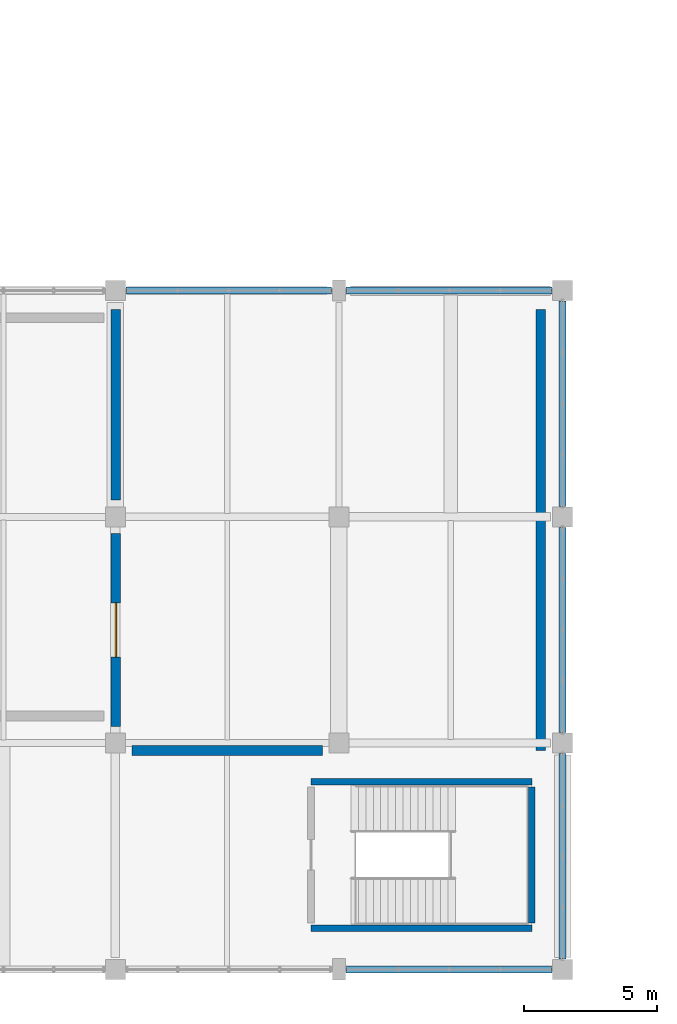
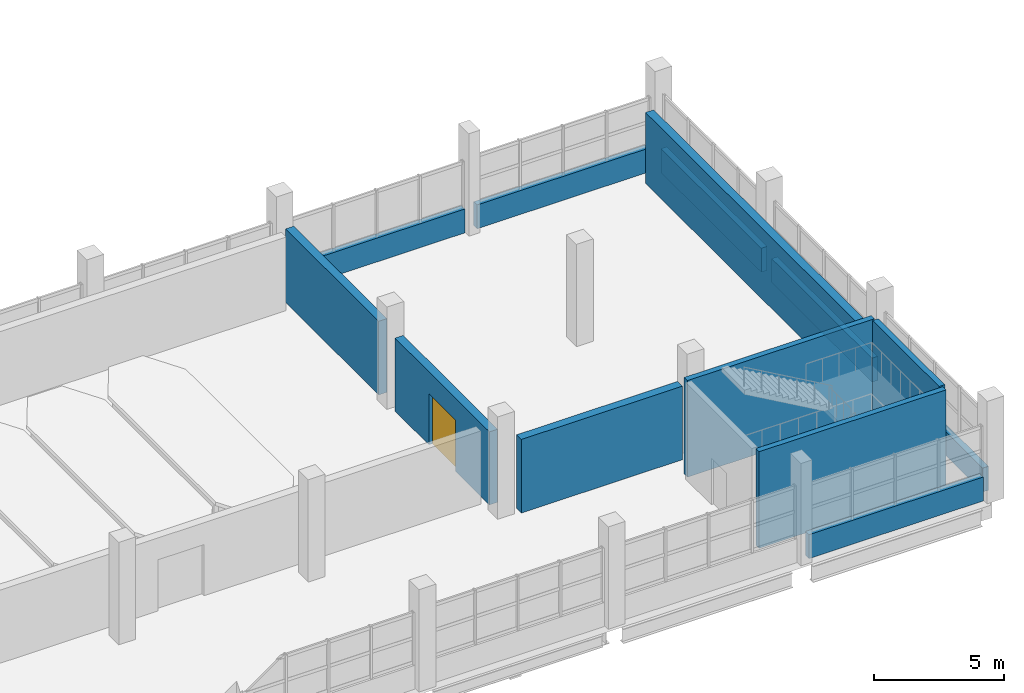
# One storey, part 103 of 117: 13 walls, 1 door, 1 opening.
"""IFC4 building model written with IfcOpenShell, lengths in metres."""

from ifc_helpers import new_model, si_unit, direction, frame, frame_2d, origin, place, context, subcontext, project, spatial, rectangle, extrude, material, layer, layer_set, type_object, element, fill, save


model = new_model("IFC4")

# Units and contexts
model_context = context("Model", 3, precision=1e-05, world=origin(), true_north=direction((0.0, 1.0)))
body_context = subcontext(model_context, "Body", "Model", "MODEL_VIEW")
ifc_project = project(units=[si_unit("LENGTHUNIT", "METRE"), si_unit("AREAUNIT", "SQUARE_METRE"), si_unit("VOLUMEUNIT", "CUBIC_METRE"), si_unit("PLANEANGLEUNIT", "RADIAN"), si_unit("MASSUNIT", "GRAM", prefix="KILO")], contexts=[model_context])

# Site, building, storey
site_placement = place(None, origin())
site = spatial("IfcSite", under=ifc_project, at=site_placement, CompositionType="ELEMENT")
building_placement = place(site_placement, origin())
building = spatial("IfcBuilding", under=site, at=building_placement, Name="Solvento Point Concert Hall", CompositionType="ELEMENT")
storey_placement = place(building_placement, frame((0.0, 0.0, 5.39990234375)))
storey = spatial("IfcBuildingStorey", under=building, at=storey_placement, Name="L01", CompositionType="ELEMENT", Elevation=5.39990234375)

# Wall
ifc_material_1 = material(Name="Acoustic Double-Stud Gypsum Partition")
ifc_layer_1 = layer(ifc_material_1, 0.364990234375)
ifc_layer_set_1 = layer_set([ifc_layer_1], Name="Acoustic Double-Stud Gypsum Partition")
wall_type_1 = type_object("IfcWallType", Name="AcousticPartition_365", PredefinedType="PARTITIONING", material=ifc_layer_set_1)
wall_1_placement = place(storey_placement, frame((207.97998046875, 24.780029296875, 0.0), z_axis=(0.0, 0.0, 1.0), x_axis=(0.0, -1.0, 0.0)))
element("IfcWall", 1, at=wall_1_placement, inside=storey, type_object=wall_type_1, Name="Interior acoustic partition PW-43 L01", PredefinedType="PARTITIONING", context=body_context, shape_type="SweptSolid", body=[
    extrude(rectangle(XDim=16.56005859375, YDim=0.364990234375, at=frame_2d((8.280029296875, 0.0))), origin(), (0.0, 0.0, 1.0), 3.318115234375),
])

# Wall, opening, door
wall_2_placement = place(storey_placement, frame((192.02001953125, 9.125, 0.0), z_axis=(0.0, 0.0, 1.0), x_axis=(0.0, 1.0, 0.0)))
wall_2 = element("IfcWall", 2, at=wall_2_placement, inside=storey, type_object=wall_type_1, Name="Interior acoustic partition PW-43 L01", PredefinedType="PARTITIONING", context=body_context, shape_type="SweptSolid", body=[
    extrude(rectangle(XDim=7.25, YDim=0.364990234375, at=frame_2d((3.625, 0.0))), origin(), (0.0, 0.0, 1.0), 3.424072265625),
])
opening_placement = place(wall_2_placement, frame((2.60498046875, 0.0, 0.0)))
opening = element("IfcOpeningElement", 3, at=opening_placement, cuts=wall_2, Name="Opening DR-97", PredefinedType="OPENING", context=body_context, shape_type="SweptSolid", body=[
    extrude(rectangle(XDim=2.0400390625, YDim=2.39990234375, at=frame_2d((1.02001953125, 1.199951171875))), frame((0.0, 0.1923828125, 0.0), z_axis=(0.0, -1.0, 0.0), x_axis=(1.0, 0.0, 0.0)), (0.0, 0.0, 1.0), 0.385009765625),
])
ifc_material_2 = material(Name="Brazilian Hardwood Acoustic Door", Category="wood")
door_type = type_object("IfcDoorType", Name="IntDoor_ChamberSoundLk", OperationType="NOTDEFINED", PredefinedType="DOOR", material=ifc_material_2)
door_placement = place(opening_placement, origin())
door = element("IfcDoor", 4, at=door_placement, inside=storey, type_object=door_type, Name="Interior door DR-97 L01", OperationType="SINGLE_SWING_RIGHT", OverallHeight=2.39990234375, OverallWidth=2.0400390625, PredefinedType="DOOR", context=body_context, shape_type="SweptSolid", body=[
    extrude(rectangle(XDim=2.0400390625, YDim=2.39990234375, at=frame_2d((1.02001953125, 1.199951171875))), frame((0.0, 0.02490234375, 0.0), z_axis=(0.0, -1.0, 0.0), x_axis=(1.0, 0.0, 0.0)), (0.0, 0.0, 1.0), 0.050048828125),
])
fill(opening, door)

# Walls
wall_3_placement = place(storey_placement, frame((192.02001953125, 17.625, 0.0), z_axis=(0.0, 0.0, 1.0), x_axis=(0.0, 1.0, 0.0)))
element("IfcWall", 5, at=wall_3_placement, inside=storey, type_object=wall_type_1, Name="Interior acoustic partition PW-43 L01", PredefinedType="PARTITIONING", context=body_context, shape_type="SweptSolid", body=[
    extrude(rectangle(XDim=7.155029296875, YDim=0.364990234375, at=frame_2d((3.57763671875, 0.0))), origin(), (0.0, 0.0, 1.0), 3.4501953125),
])
wall_4_placement = place(storey_placement, frame((199.77490234375, 8.219970703125, 0.0), z_axis=(0.0, 0.0, 1.0), x_axis=(-1.0, 0.0, 0.0)))
element("IfcWall", 6, at=wall_4_placement, inside=storey, type_object=wall_type_1, Name="Interior acoustic partition PW-43 L01", PredefinedType="PARTITIONING", context=body_context, shape_type="SweptSolid", body=[
    extrude(rectangle(XDim=7.14990234375, YDim=0.364990234375, at=frame_2d((3.574951171875, 0.0))), origin(), (0.0, 0.0, 1.0), 3.4501953125),
])
ifc_material_3 = material(Name="Concrete C40/50", Category="concrete")
ifc_layer_2 = layer(ifc_material_3, 0.300048828125)
ifc_layer_set_2 = layer_set([ifc_layer_2], Name="Concrete C40/50")
wall_type_2 = type_object("IfcWallType", Name="CoreShearWall_300", PredefinedType="SHEAR", material=ifc_layer_set_2)
for number, where, z_axis, x_axis, name in (
    (7, (207.64990234375, 1.550048828125, 0.0), (0.0, 0.0, 1.0), (-1.0, 0.0, 0.0), "Stair core shear wall W-SH1 ST-09 L01"),
    (8, (199.35009765625, 7.050048828125, 0.0), (0.0, 0.0, 1.0), (1.0, 0.0, 0.0), "Stair core shear wall W-SH1 ST-09 L01"),
):
    element("IfcWall", number, at=place(storey_placement, frame(where, z_axis=z_axis, x_axis=x_axis)), inside=storey, type_object=wall_type_2, Name=name, PredefinedType="SHEAR", context=body_context, shape_type="SweptSolid", body=[
        extrude(rectangle(XDim=8.2998046875, YDim=0.25, at=frame_2d((4.14990234375, 0.0))), origin(), (0.0, 0.0, 1.0), 4.530029296875),
    ])
wall_5_placement = place(storey_placement, frame((207.64990234375, 6.85009765625, 0.0), z_axis=(0.0, 0.0, 1.0), x_axis=(0.0, -1.0, 0.0)))
element("IfcWall", 9, at=wall_5_placement, inside=storey, type_object=wall_type_2, Name="Stair core shear wall W-SH1 ST-09 L01", PredefinedType="SHEAR", context=body_context, shape_type="SweptSolid", body=[
    extrude(rectangle(XDim=5.10009765625, YDim=0.25, at=frame_2d((2.550048828125, 0.0))), origin(), (0.0, 0.0, 1.0), 4.530029296875),
])
ifc_material_4 = material(Name="Concrete C40/50", Category="concrete")
ifc_layer_3 = layer(ifc_material_4, 0.260009765625)
ifc_layer_set_3 = layer_set([ifc_layer_3], Name="Concrete C40/50")
wall_type_3 = type_object("IfcWallType", Name="Parapet_Ring_260", PredefinedType="PARAPET", material=ifc_layer_set_3)
wall_6_placement = place(storey_placement, frame((192.39501953125, 25.5, 0.0), z_axis=(0.0, 0.0, 1.0), x_axis=(1.0, 0.0, 0.0)))
element("IfcWall", 10, at=wall_6_placement, inside=storey, type_object=wall_type_3, Name="Sliding elliptical white concrete ring spandrel PR-01 L01", PredefinedType="PARAPET", context=body_context, shape_type="SweptSolid", body=[
    extrude(rectangle(XDim=7.73486328125, YDim=0.260009765625, at=frame_2d((3.867431640625, 0.0))), origin(), (0.0, 0.0, 1.0), 1.1201171875),
])
wall_7_placement = place(storey_placement, frame((200.669921875, 25.5, 0.0), z_axis=(0.0, 0.0, 1.0), x_axis=(1.0, 0.0, 0.0)))
element("IfcWall", 11, at=wall_7_placement, inside=storey, type_object=wall_type_3, Name="Sliding elliptical white concrete ring spandrel PR-01 L01", PredefinedType="PARAPET", context=body_context, shape_type="SweptSolid", body=[
    extrude(rectangle(XDim=7.735107421875, YDim=0.260009765625, at=frame_2d((3.86767578125, 0.0))), origin(), (0.0, 0.0, 1.0), 1.1201171875),
])
for number, where, z_axis, x_axis, name in (
    (12, (208.800048828125, 8.10498046875, 0.0), (0.0, 0.0, 1.0), (0.0, -1.0, 0.0), "Sliding elliptical white concrete ring spandrel PR-01 L01"),
    (13, (208.800048828125, 16.60498046875, 0.0), (0.0, 0.0, 1.0), (0.0, -1.0, 0.0), "Sliding elliptical white concrete ring spandrel PR-01 L01"),
    (14, (208.800048828125, 25.10498046875, 0.0), (0.0, 0.0, 1.0), (0.0, -1.0, 0.0), "Sliding elliptical white concrete ring spandrel PR-01 L01"),
):
    element("IfcWall", number, at=place(storey_placement, frame(where, z_axis=z_axis, x_axis=x_axis)), inside=storey, type_object=wall_type_3, Name=name, PredefinedType="PARAPET", context=body_context, shape_type="SweptSolid", body=[
        extrude(rectangle(XDim=7.7099609375, YDim=0.260009765625, at=frame_2d((3.85498046875, 0.0))), origin(), (0.0, 0.0, 1.0), 1.1201171875),
    ])
wall_8_placement = place(storey_placement, frame((208.405029296875, 0.0, 0.0), z_axis=(0.0, 0.0, 1.0), x_axis=(-1.0, 0.0, 0.0)))
element("IfcWall", 15, at=wall_8_placement, inside=storey, type_object=wall_type_3, Name="Sliding elliptical white concrete ring spandrel PR-01 L01", PredefinedType="PARAPET", context=body_context, shape_type="SweptSolid", body=[
    extrude(rectangle(XDim=7.735107421875, YDim=0.260009765625, at=frame_2d((3.86767578125, 0.0))), origin(), (0.0, 0.0, 1.0), 1.1201171875),
])

save(model, "model.ifc")
